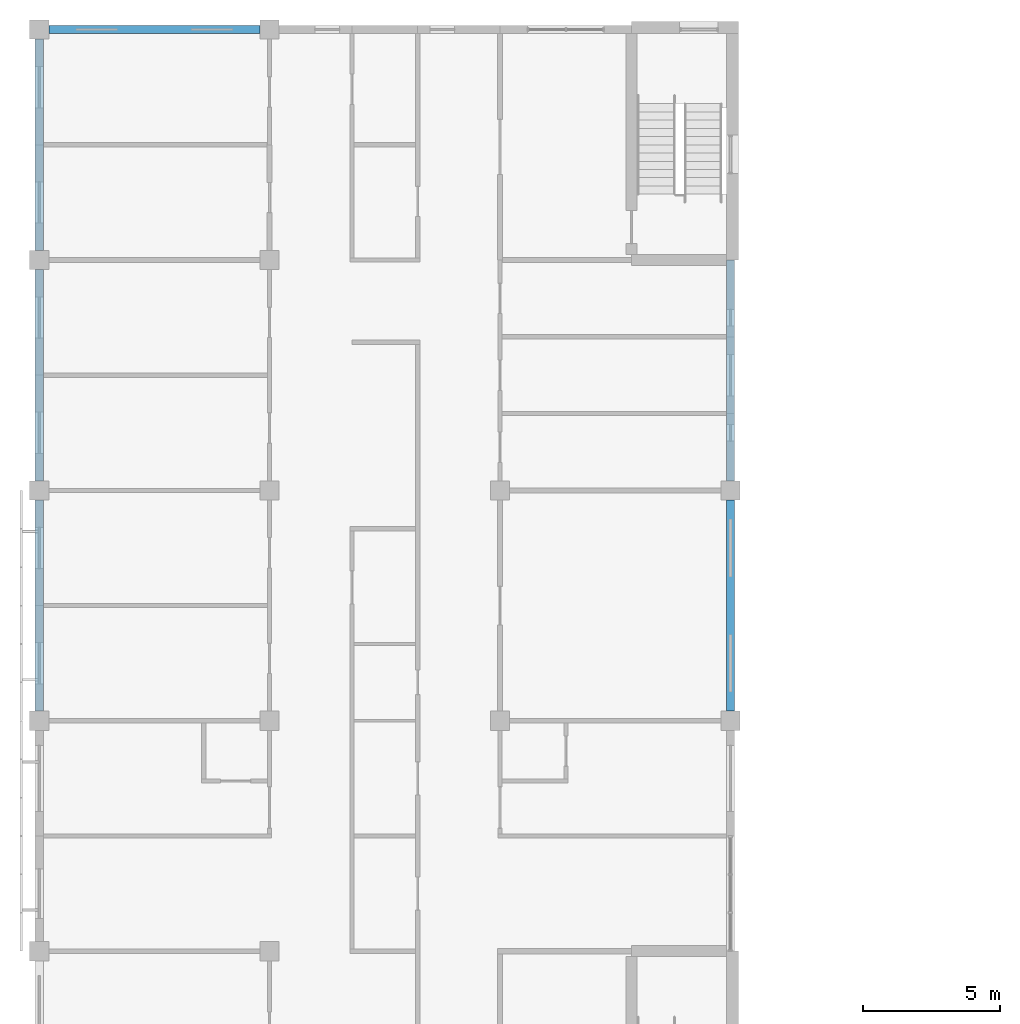
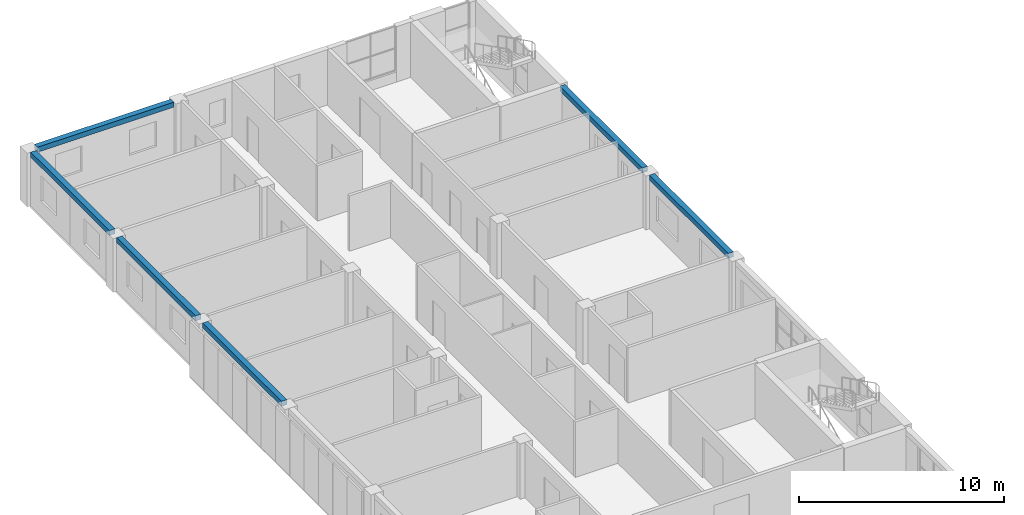
# One storey, part 15 of 48: 6 beams.
"""IFC4 building model written with IfcOpenShell, lengths in metres."""

from ifc_helpers import new_model, si_unit, direction, frame, origin, origin_2d, place, context, subcontext, project, spatial, rectangle, extrude, material, material_profile, profile_set, type_object, element, save


model = new_model("IFC4")

# Units and contexts
model_context = context("Model", 3, precision=1e-05, world=origin(), true_north=direction((0.0, 1.0)))
body_context = subcontext(model_context, "Body", "Model", "MODEL_VIEW")
ifc_project = project(units=[si_unit("LENGTHUNIT", "METRE"), si_unit("AREAUNIT", "SQUARE_METRE"), si_unit("VOLUMEUNIT", "CUBIC_METRE"), si_unit("PLANEANGLEUNIT", "RADIAN"), si_unit("MASSUNIT", "GRAM", prefix="KILO")], contexts=[model_context])

# Site, building, storey
site_placement = place(None, origin())
site = spatial("IfcSite", under=ifc_project, at=site_placement, CompositionType="ELEMENT")
building_placement = place(site_placement, origin())
building = spatial("IfcBuilding", under=site, at=building_placement, Name="Yavir Park General Hospital", CompositionType="ELEMENT")
storey_placement = place(building_placement, frame((0.0, 0.0, 26.10009765625)))
storey = spatial("IfcBuildingStorey", under=building, at=storey_placement, Name="L06", CompositionType="ELEMENT", Elevation=26.10009765625)

# Beams
ifc_material = material(Name="Concrete C35/45", Category="concrete")
ifc_material_profile = material_profile(ifc_material, rectangle(XDim=0.300048828125, YDim=0.300048828125, at=origin_2d()), Name="RC300x300")
ifc_profile_set = profile_set([ifc_material_profile], Name="Concrete C35/45")
beam_type = type_object("IfcBeamType", Name="RC BEAM 300x300 edge beam", PredefinedType="BEAM", material=ifc_profile_set)
for number, where, z_axis, x_axis, name in (
    (1, (0.35009765625, 117.60009765625, 3.0498046875), (1.0, 0.0, 0.0), (0.0, 1.0, 0.0), "B:EDGE:L06:015"),
    (2, (0.0, 92.75, 3.0498046875), (0.0, 1.0, 0.0), (-1.0, 0.0, 0.0), "B:EDGE:L06:025"),
):
    element("IfcBeam", number, at=place(storey_placement, frame(where, z_axis=z_axis, x_axis=x_axis)), inside=storey, type_object=beam_type, Name=name, PredefinedType="BEAM", context=body_context, shape_type="SweptSolid", body=[
        extrude(rectangle(XDim=0.300048828125, YDim=0.300048828125, at=origin_2d()), origin(), (0.0, 0.0, 1.0), 7.699951171875),
    ])
beam_1_placement = place(storey_placement, frame((0.0, 101.14990234375, 3.0498046875), z_axis=(0.0, 1.0, 0.0), x_axis=(-1.0, 0.0, 0.0)))
element("IfcBeam", 3, at=beam_1_placement, inside=storey, type_object=beam_type, Name="B:EDGE:L06:026", PredefinedType="BEAM", context=body_context, shape_type="SweptSolid", body=[
    extrude(rectangle(XDim=0.300048828125, YDim=0.300048828125, at=origin_2d()), origin(), (0.0, 0.0, 1.0), 7.7001953125),
])
for number, where, z_axis, x_axis, name in (
    (4, (0.0, 109.550048828125, 3.0498046875), (0.0, 1.0, 0.0), (-1.0, 0.0, 0.0), "B:EDGE:L06:027"),
    (5, (25.199951171875, 92.75, 3.0498046875), (0.0, 1.0, 0.0), (-1.0, 0.0, 0.0), "B:EDGE:L06:033"),
):
    element("IfcBeam", number, at=place(storey_placement, frame(where, z_axis=z_axis, x_axis=x_axis)), inside=storey, type_object=beam_type, Name=name, PredefinedType="BEAM", context=body_context, shape_type="SweptSolid", body=[
        extrude(rectangle(XDim=0.300048828125, YDim=0.300048828125, at=origin_2d()), origin(), (0.0, 0.0, 1.0), 7.699951171875),
    ])
beam_2_placement = place(storey_placement, frame((25.199951171875, 101.14990234375, 3.0498046875), z_axis=(0.0, 1.0, 0.0), x_axis=(-1.0, 0.0, 0.0)))
element("IfcBeam", 6, at=beam_2_placement, inside=storey, type_object=beam_type, Name="B:EDGE:L06:034", PredefinedType="BEAM", context=body_context, shape_type="SweptSolid", body=[
    extrude(rectangle(XDim=0.300048828125, YDim=0.300048828125, at=origin_2d()), origin(), (0.0, 0.0, 1.0), 8.050048828125),
])

save(model, "model.ifc")
